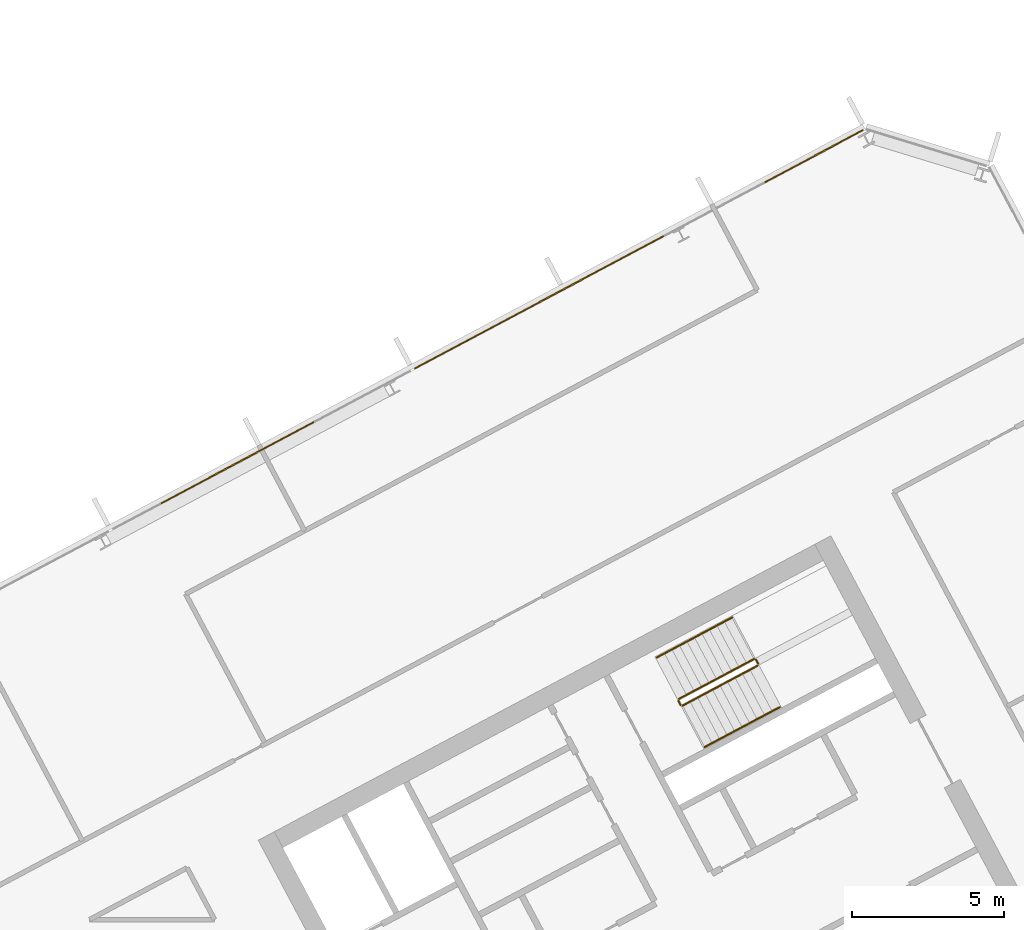
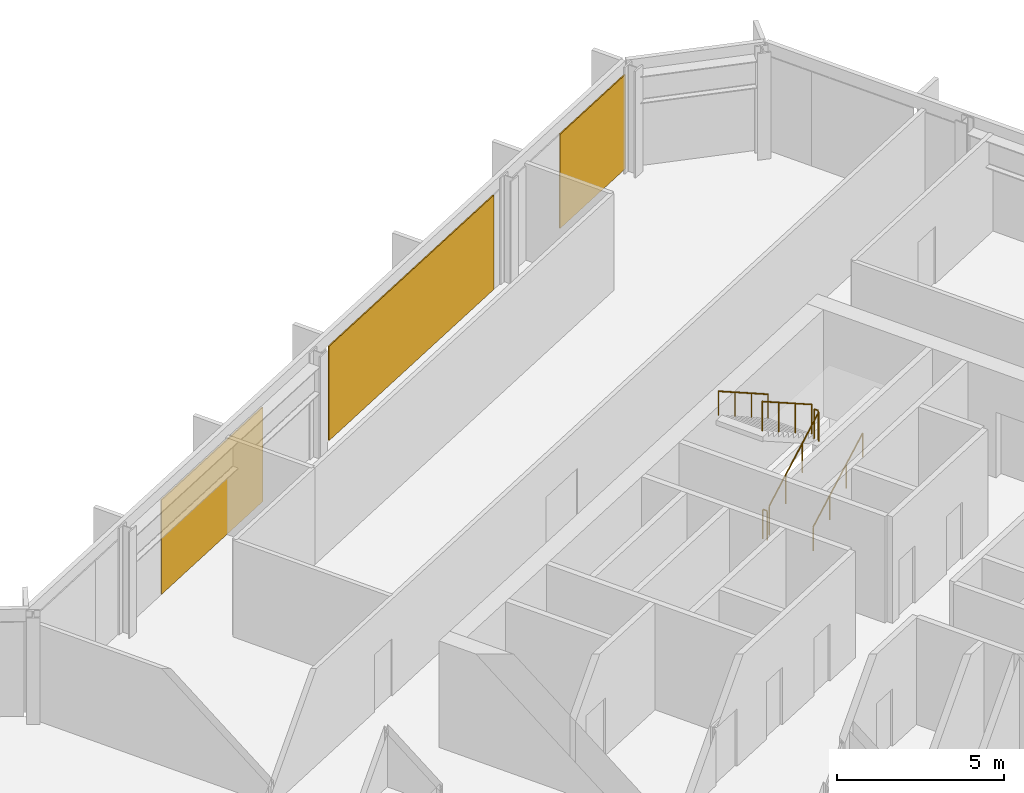
# One storey, part 26 of 27: 6 railings, 3 coverings, 1 element without a shape of its own.
"""IFC4 building model written with IfcOpenShell, lengths in metres."""

from ifc_helpers import new_model, si_unit, direction, frame, origin, origin_2d, place, context, subcontext, project, spatial, polyline, rectangle, outline, extrude, material, layer, layer_set, type_object, element, aggregate, save


model = new_model("IFC4")

# Units and contexts
model_context = context("Model", 3, precision=1e-05, world=origin(), true_north=direction((0.0, 1.0)))
body_context = subcontext(model_context, "Body", "Model", "MODEL_VIEW")
ifc_project = project(units=[si_unit("LENGTHUNIT", "METRE"), si_unit("AREAUNIT", "SQUARE_METRE"), si_unit("VOLUMEUNIT", "CUBIC_METRE"), si_unit("PLANEANGLEUNIT", "RADIAN"), si_unit("MASSUNIT", "GRAM", prefix="KILO")], contexts=[model_context])

# Site, building, storey
site_placement = place(None, origin())
site = spatial("IfcSite", under=ifc_project, at=site_placement, CompositionType="ELEMENT")
building_placement = place(site_placement, origin())
building = spatial("IfcBuilding", under=site, at=building_placement, Name="Cormorant Relay Tower", CompositionType="ELEMENT")
storey_placement = place(building_placement, frame((0.0, 0.0, 240.300048828125)))
storey = spatial("IfcBuildingStorey", under=building, at=storey_placement, Name="L53", CompositionType="ELEMENT", Elevation=240.300048828125)

# Curtain wall, coverings
ifc_material_1 = material(Name="Aluminium 6063-T6 anodised bronze", Category="aluminium")
ifc_layer_1 = layer(ifc_material_1, 0.199951171875)
ifc_layer_set_1 = layer_set([ifc_layer_1], Name="CW1 unitised bronze curtain wall with vertical fins")
curtain_wall_type = type_object("IfcCurtainWallType", Name="CW1 unitised bronze curtain wall with vertical fins", PredefinedType="NOTDEFINED", material=ifc_layer_set_1)
curtain_wall_placement = place(storey_placement, origin())
curtain_wall = element("IfcCurtainWall", 1, at=curtain_wall_placement, inside=storey, type_object=curtain_wall_type, Name="CW1 curtain wall 8", PredefinedType="NOTDEFINED")
ifc_material_2 = material(Name="Pale bronze anodised aluminium insulated panel", Category="aluminium")
ifc_layer_2 = layer(ifc_material_2, 0.0400390625)
ifc_layer_set_2 = layer_set([ifc_layer_2], Name="CW1 pale bronze insulated panel 40")
covering_type = type_object("IfcCoveringType", Name="CW1 pale bronze insulated panel 40", PredefinedType="CLADDING", material=ifc_layer_set_2)
covering_1_placement = place(storey_placement, frame((28.16943359375, 38.78466796875, 0.0), z_axis=(0.0, 0.0, 1.0), x_axis=(-0.882947592859, -0.469471562786, 0.0)))
covering_1 = element("IfcCovering", 2, at=covering_1_placement, type_object=covering_type, Name="CW1 panel S00", PredefinedType="CLADDING", context=body_context, shape_type="SweptSolid", body=[
    extrude(rectangle(XDim=3.68896484375, YDim=0.0400390625, at=origin_2d()), origin(), (0.0, 0.0, 1.0), 3.449951171875),
])
covering_2_placement = place(storey_placement, frame((19.11181640625, 33.968505859375, 0.0), z_axis=(0.0, 0.0, 1.0), x_axis=(-0.882947592859, -0.469471562786, 0.0)))
covering_2 = element("IfcCovering", 3, at=covering_2_placement, type_object=covering_type, Name="CW1 panel S03", PredefinedType="CLADDING", context=body_context, shape_type="SweptSolid", body=[
    extrude(rectangle(XDim=9.327880859375, YDim=0.0400390625, at=origin_2d()), origin(), (0.0, 0.0, 1.0), 3.449951171875),
])
covering_3_placement = place(storey_placement, frame((9.15380859375, 28.673828125, 0.0), z_axis=(0.0, 0.0, 1.0), x_axis=(-0.882947592859, -0.469471562786, 0.0)))
covering_3 = element("IfcCovering", 4, at=covering_3_placement, type_object=covering_type, Name="CW1 panel S05", PredefinedType="CLADDING", context=body_context, shape_type="SweptSolid", body=[
    extrude(rectangle(XDim=5.72802734375, YDim=0.0400390625, at=origin_2d()), origin(), (0.0, 0.0, 1.0), 3.449951171875),
])
aggregate(curtain_wall, [covering_1, covering_2, covering_3])

# Railings
ifc_material_3 = material(Name="Steel ASTM A572 Grade 50 (Fy 345 MPa)", Category="steel")
railing_type_1 = type_object("IfcRailingType", Name="Stair guard 1100", PredefinedType="GUARDRAIL", material=ifc_material_3)
railing_1_placement = place(storey_placement, frame((23.8408203125, 20.6611328125, 0.17724609375)))
element("IfcRailing", 5, at=railing_1_placement, inside=storey, type_object=railing_type_1, Name="L53 B2 stair guard 1", PredefinedType="GUARDRAIL", context=body_context, shape_type="SweptSolid", body=[
    extrude(outline(polyline([(0.022216796875, 0.00927734375), (0.00927734375, 0.022216796875), (-0.00927734375, 0.022216796875), (-0.022216796875, 0.00927734375), (-0.022216796875, -0.00927734375), (-0.00927734375, -0.022216796875), (0.00927734375, -0.022216796875), (0.022216796875, -0.00927734375), (0.022216796875, 0.00927734375)])), frame((0.0, 0.0, 1.076171875), z_axis=(0.746033882577, 0.396627473466, 0.534901947407), x_axis=(-0.469429322983, 0.882970050864, 0.0)), (0.0, 0.0, 1.0), 3.31396484375),
    extrude(outline(polyline([(0.019287109375, 0.008056640625), (0.008056640625, 0.019287109375), (-0.008056640625, 0.019287109375), (-0.019287109375, 0.008056640625), (-0.019287109375, -0.008056640625), (-0.008056640625, -0.019287109375), (0.008056640625, -0.019287109375), (0.019287109375, -0.008056640625), (0.019287109375, 0.008056640625)])), origin(), (0.0, 0.0, 1.0), 1.052001953125),
    extrude(outline(polyline([(0.019287109375, 0.008056640625), (0.008056640625, 0.019287109375), (-0.008056640625, 0.019287109375), (-0.019287109375, 0.008056640625), (-0.019287109375, -0.008056640625), (-0.008056640625, -0.019287109375), (0.008056640625, -0.019287109375), (0.019287109375, -0.008056640625), (0.019287109375, 0.008056640625)])), frame((0.82421875, 0.438232421875, 0.5908203125)), (0.0, 0.0, 1.0), 1.052001953125),
    extrude(outline(polyline([(0.019287109375, 0.008056640625), (0.008056640625, 0.019287109375), (-0.008056640625, 0.019287109375), (-0.019287109375, 0.008056640625), (-0.019287109375, -0.008056640625), (-0.008056640625, -0.019287109375), (0.008056640625, -0.019287109375), (0.019287109375, -0.008056640625), (0.019287109375, 0.008056640625)])), frame((1.648193359375, 0.876220703125, 1.181884765625)), (0.0, 0.0, 1.0), 1.052001953125),
    extrude(outline(polyline([(0.019287109375, 0.008056640625), (0.008056640625, 0.019287109375), (-0.008056640625, 0.019287109375), (-0.019287109375, 0.008056640625), (-0.019287109375, -0.008056640625), (-0.008056640625, -0.019287109375), (0.008056640625, -0.019287109375), (0.019287109375, -0.008056640625), (0.019287109375, 0.008056640625)])), frame((2.472412109375, 1.314453125, 1.772705078125)), (0.0, 0.0, 1.0), 1.052001953125),
])
railing_2_placement = place(storey_placement, frame((26.333740234375, 22.043212890625, 1.949951171875)))
element("IfcRailing", 6, at=railing_2_placement, inside=storey, type_object=railing_type_1, Name="L53 B2 stair guard 2", PredefinedType="GUARDRAIL", context=body_context, shape_type="SweptSolid", body=[
    extrude(outline(polyline([(0.022216796875, 0.00927734375), (0.00927734375, 0.022216796875), (-0.00927734375, 0.022216796875), (-0.022216796875, 0.00927734375), (-0.022216796875, -0.00927734375), (-0.00927734375, -0.022216796875), (0.00927734375, -0.022216796875), (0.022216796875, -0.00927734375), (0.022216796875, 0.00927734375)])), frame((0.0, 0.0, 1.076171875), z_axis=(-0.469234640946, 0.883073525669, 0.0), x_axis=(-0.883073525669, -0.469234640946, 0.0)), (0.0, 0.0, 1.0), 0.14990234375),
    extrude(outline(polyline([(0.019287109375, 0.008056640625), (0.008056640625, 0.019287109375), (-0.008056640625, 0.019287109375), (-0.019287109375, 0.008056640625), (-0.019287109375, -0.008056640625), (-0.008056640625, -0.019287109375), (0.008056640625, -0.019287109375), (0.019287109375, -0.008056640625), (0.019287109375, 0.008056640625)])), origin(), (0.0, 0.0, 1.0), 1.052001953125),
    extrude(outline(polyline([(0.019287109375, 0.008056640625), (0.008056640625, 0.019287109375), (-0.008056640625, 0.019287109375), (-0.019287109375, 0.008056640625), (-0.019287109375, -0.008056640625), (-0.008056640625, -0.019287109375), (0.008056640625, -0.019287109375), (0.019287109375, -0.008056640625), (0.019287109375, 0.008056640625)])), frame((-0.0703125, 0.13232421875, 0.0)), (0.0, 0.0, 1.0), 1.052001953125),
])
railing_3_placement = place(storey_placement, frame((26.19580078125, 22.1962890625, 2.127197265625)))
element("IfcRailing", 7, at=railing_3_placement, inside=storey, type_object=railing_type_1, Name="L53 B2 stair guard 3", PredefinedType="GUARDRAIL", context=body_context, shape_type="SweptSolid", body=[
    extrude(outline(polyline([(0.022216796875, 0.00927734375), (0.00927734375, 0.022216796875), (-0.00927734375, 0.022216796875), (-0.022216796875, 0.00927734375), (-0.022216796875, -0.00927734375), (-0.00927734375, -0.022216796875), (0.00927734375, -0.022216796875), (0.022216796875, -0.00927734375), (0.022216796875, 0.00927734375)])), frame((0.0, 0.0, 1.076171875), z_axis=(-0.746033882577, -0.396627473466, 0.534901947407), x_axis=(0.469429322983, -0.882970050864, 0.0)), (0.0, 0.0, 1.0), 3.31396484375),
    extrude(outline(polyline([(0.019287109375, 0.008056640625), (0.008056640625, 0.019287109375), (-0.008056640625, 0.019287109375), (-0.019287109375, 0.008056640625), (-0.019287109375, -0.008056640625), (-0.008056640625, -0.019287109375), (0.008056640625, -0.019287109375), (0.019287109375, -0.008056640625), (0.019287109375, 0.008056640625)])), origin(), (0.0, 0.0, 1.0), 1.052001953125),
    extrude(outline(polyline([(0.019287109375, 0.008056640625), (0.008056640625, 0.019287109375), (-0.008056640625, 0.019287109375), (-0.019287109375, 0.008056640625), (-0.019287109375, -0.008056640625), (-0.008056640625, -0.019287109375), (0.008056640625, -0.019287109375), (0.019287109375, -0.008056640625), (0.019287109375, 0.008056640625)])), frame((-0.82421875, -0.438232421875, 0.5908203125)), (0.0, 0.0, 1.0), 1.052001953125),
    extrude(outline(polyline([(0.019287109375, 0.008056640625), (0.008056640625, 0.019287109375), (-0.008056640625, 0.019287109375), (-0.019287109375, 0.008056640625), (-0.019287109375, -0.008056640625), (-0.008056640625, -0.019287109375), (0.008056640625, -0.019287109375), (0.019287109375, -0.008056640625), (0.019287109375, 0.008056640625)])), frame((-1.648193359375, -0.876220703125, 1.181884765625)), (0.0, 0.0, 1.0), 1.052001953125),
    extrude(outline(polyline([(0.019287109375, 0.008056640625), (0.008056640625, 0.019287109375), (-0.008056640625, 0.019287109375), (-0.019287109375, 0.008056640625), (-0.019287109375, -0.008056640625), (-0.008056640625, -0.019287109375), (0.008056640625, -0.019287109375), (0.019287109375, -0.008056640625), (0.019287109375, 0.008056640625)])), frame((-2.472412109375, -1.314453125, 1.772705078125)), (0.0, 0.0, 1.0), 1.052001953125),
])
railing_4_placement = place(storey_placement, frame((23.773193359375, 20.681640625, 0.0)))
element("IfcRailing", 8, at=railing_4_placement, inside=storey, type_object=railing_type_1, Name="L53 B2 stair guard 4", PredefinedType="GUARDRAIL", context=body_context, shape_type="SweptSolid", body=[
    extrude(outline(polyline([(0.022216796875, 0.00927734375), (0.00927734375, 0.022216796875), (-0.00927734375, 0.022216796875), (-0.022216796875, 0.00927734375), (-0.022216796875, -0.00927734375), (-0.00927734375, -0.022216796875), (0.00927734375, -0.022216796875), (0.022216796875, -0.00927734375), (0.022216796875, 0.00927734375)])), frame((0.0, 0.0, 1.076171875), z_axis=(-0.46856034887, 0.8834314911, 0.0), x_axis=(-0.8834314911, -0.46856034887, 0.0)), (0.0, 0.0, 1.0), 0.150146484375),
    extrude(outline(polyline([(0.019287109375, 0.008056640625), (0.008056640625, 0.019287109375), (-0.008056640625, 0.019287109375), (-0.019287109375, 0.008056640625), (-0.019287109375, -0.008056640625), (-0.008056640625, -0.019287109375), (0.008056640625, -0.019287109375), (0.019287109375, -0.008056640625), (0.019287109375, 0.008056640625)])), origin(), (0.0, 0.0, 1.0), 1.052001953125),
    extrude(outline(polyline([(0.019287109375, 0.008056640625), (0.008056640625, 0.019287109375), (-0.008056640625, 0.019287109375), (-0.019287109375, 0.008056640625), (-0.019287109375, -0.008056640625), (-0.008056640625, -0.019287109375), (0.008056640625, -0.019287109375), (0.019287109375, -0.008056640625), (0.019287109375, 0.008056640625)])), frame((-0.0703125, 0.132568359375, 0.0)), (0.0, 0.0, 1.0), 1.052001953125),
])
ifc_material_4 = material(Name="Steel ASTM A572 Grade 50 (Fy 345 MPa)", Category="steel")
railing_type_2 = type_object("IfcRailingType", Name="Stair handrail 900", PredefinedType="HANDRAIL", material=ifc_material_4)
railing_5_placement = place(storey_placement, frame((24.568603515625, 19.29248046875, 0.17724609375)))
element("IfcRailing", 9, at=railing_5_placement, inside=storey, type_object=railing_type_2, Name="L53 B2 stair handrail 1", PredefinedType="HANDRAIL", context=body_context, shape_type="SweptSolid", body=[
    extrude(outline(polyline([(0.022216796875, 0.00927734375), (0.00927734375, 0.022216796875), (-0.00927734375, 0.022216796875), (-0.022216796875, 0.00927734375), (-0.022216796875, -0.00927734375), (-0.00927734375, -0.022216796875), (0.00927734375, -0.022216796875), (0.022216796875, -0.00927734375), (0.022216796875, 0.00927734375)])), frame((0.0, 0.0, 0.8759765625), z_axis=(0.746001213114, 0.396649272309, 0.534931345884), x_axis=(-0.469465464807, 0.882950835185, 0.0)), (0.0, 0.0, 1.0), 3.31396484375),
    extrude(outline(polyline([(0.019287109375, 0.008056640625), (0.008056640625, 0.019287109375), (-0.008056640625, 0.019287109375), (-0.019287109375, 0.008056640625), (-0.019287109375, -0.008056640625), (-0.008056640625, -0.019287109375), (0.008056640625, -0.019287109375), (0.019287109375, -0.008056640625), (0.019287109375, 0.008056640625)])), origin(), (0.0, 0.0, 1.0), 0.851806640625),
    extrude(outline(polyline([(0.019287109375, 0.008056640625), (0.008056640625, 0.019287109375), (-0.008056640625, 0.019287109375), (-0.019287109375, 0.008056640625), (-0.019287109375, -0.008056640625), (-0.008056640625, -0.019287109375), (0.008056640625, -0.019287109375), (0.019287109375, -0.008056640625), (0.019287109375, 0.008056640625)])), frame((0.823974609375, 0.438232421875, 0.5908203125)), (0.0, 0.0, 1.0), 0.851806640625),
    extrude(outline(polyline([(0.019287109375, 0.008056640625), (0.008056640625, 0.019287109375), (-0.008056640625, 0.019287109375), (-0.019287109375, 0.008056640625), (-0.019287109375, -0.008056640625), (-0.008056640625, -0.019287109375), (0.008056640625, -0.019287109375), (0.019287109375, -0.008056640625), (0.019287109375, 0.008056640625)])), frame((1.648193359375, 0.876220703125, 1.181884765625)), (0.0, 0.0, 1.0), 0.851806640625),
    extrude(outline(polyline([(0.019287109375, 0.008056640625), (0.008056640625, 0.019287109375), (-0.008056640625, 0.019287109375), (-0.019287109375, 0.008056640625), (-0.019287109375, -0.008056640625), (-0.008056640625, -0.019287109375), (0.008056640625, -0.019287109375), (0.019287109375, -0.008056640625), (0.019287109375, 0.008056640625)])), frame((2.47216796875, 1.314453125, 1.772705078125)), (0.0, 0.0, 1.0), 0.851806640625),
])
railing_6_placement = place(storey_placement, frame((25.468017578125, 23.56494140625, 2.127197265625)))
element("IfcRailing", 10, at=railing_6_placement, inside=storey, type_object=railing_type_2, Name="L53 B2 stair handrail 2", PredefinedType="HANDRAIL", context=body_context, shape_type="SweptSolid", body=[
    extrude(outline(polyline([(0.022216796875, 0.00927734375), (0.00927734375, 0.022216796875), (-0.00927734375, 0.022216796875), (-0.022216796875, 0.00927734375), (-0.022216796875, -0.00927734375), (-0.00927734375, -0.022216796875), (0.00927734375, -0.022216796875), (0.022216796875, -0.00927734375), (0.022216796875, 0.00927734375)])), frame((0.0, 0.0, 0.8759765625), z_axis=(-0.745979412481, -0.396711350603, 0.534915713414), x_axis=(0.469533439143, -0.882914689835, 0.0)), (0.0, 0.0, 1.0), 3.31396484375),
    extrude(outline(polyline([(0.019287109375, 0.008056640625), (0.008056640625, 0.019287109375), (-0.008056640625, 0.019287109375), (-0.019287109375, 0.008056640625), (-0.019287109375, -0.008056640625), (-0.008056640625, -0.019287109375), (0.008056640625, -0.019287109375), (0.019287109375, -0.008056640625), (0.019287109375, 0.008056640625)])), origin(), (0.0, 0.0, 1.0), 0.851806640625),
    extrude(outline(polyline([(0.019287109375, 0.008056640625), (0.008056640625, 0.019287109375), (-0.008056640625, 0.019287109375), (-0.019287109375, 0.008056640625), (-0.019287109375, -0.008056640625), (-0.008056640625, -0.019287109375), (0.008056640625, -0.019287109375), (0.019287109375, -0.008056640625), (0.019287109375, 0.008056640625)])), frame((-0.823974609375, -0.438232421875, 0.5908203125)), (0.0, 0.0, 1.0), 0.851806640625),
    extrude(outline(polyline([(0.019287109375, 0.008056640625), (0.008056640625, 0.019287109375), (-0.008056640625, 0.019287109375), (-0.019287109375, 0.008056640625), (-0.019287109375, -0.008056640625), (-0.008056640625, -0.019287109375), (0.008056640625, -0.019287109375), (0.019287109375, -0.008056640625), (0.019287109375, 0.008056640625)])), frame((-1.648193359375, -0.87646484375, 1.181884765625)), (0.0, 0.0, 1.0), 0.851806640625),
    extrude(outline(polyline([(0.019287109375, 0.008056640625), (0.008056640625, 0.019287109375), (-0.008056640625, 0.019287109375), (-0.019287109375, 0.008056640625), (-0.019287109375, -0.008056640625), (-0.008056640625, -0.019287109375), (0.008056640625, -0.019287109375), (0.019287109375, -0.008056640625), (0.019287109375, 0.008056640625)])), frame((-2.47216796875, -1.314697265625, 1.772705078125)), (0.0, 0.0, 1.0), 0.851806640625),
])

save(model, "model.ifc")
